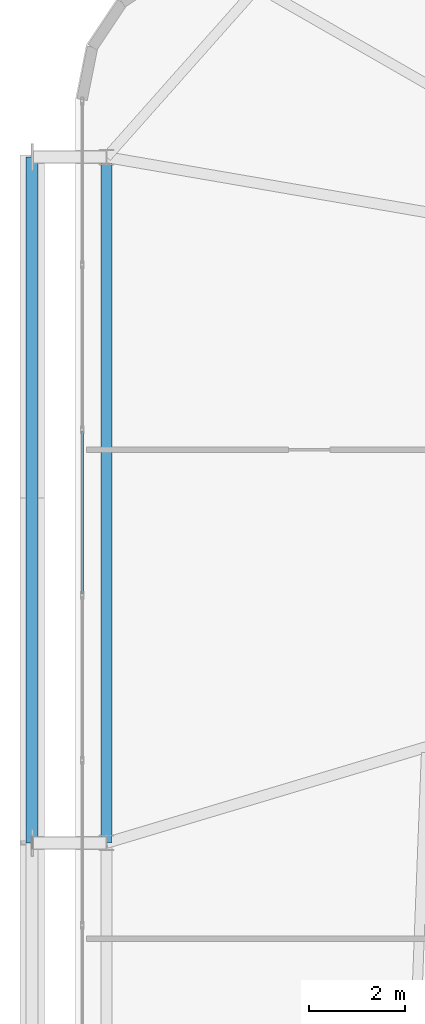
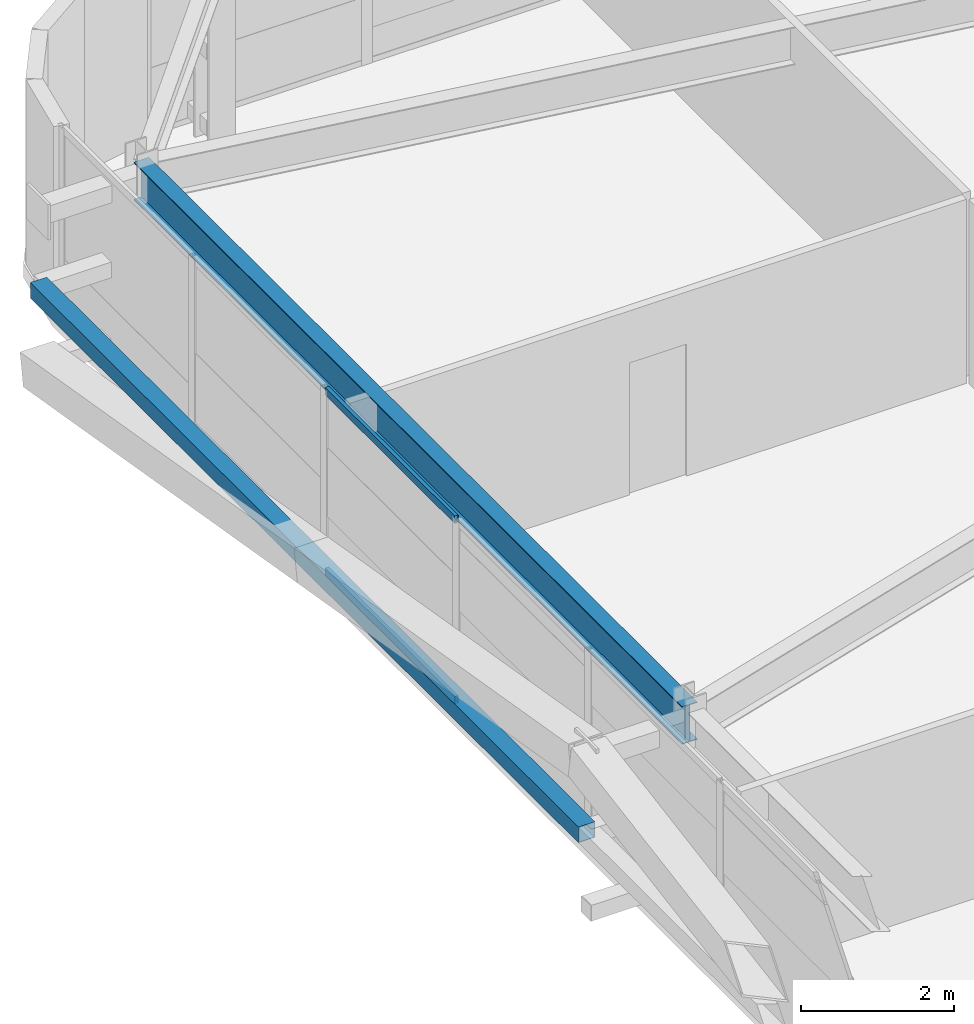
# One storey, part 17 of 58: 3 members, 1 beam, 1 element without a shape of its own.
"""IFC4 building model written with IfcOpenShell, lengths in metres."""

from ifc_helpers import new_model, si_unit, direction, frame, origin, origin_2d, place, context, subcontext, project, spatial, hollow_rectangle, i_section, extrude, source, transform, mapped, material, layer, layer_set, material_profile, profile_set, type_object, element, aggregate, save


model = new_model("IFC4")

# Units and contexts
model_context = context("Model", 3, precision=1e-05, world=origin(), true_north=direction((0.0, 1.0)))
body_context = subcontext(model_context, "Body", "Model", "MODEL_VIEW")
ifc_project = project(units=[si_unit("LENGTHUNIT", "METRE"), si_unit("AREAUNIT", "SQUARE_METRE"), si_unit("VOLUMEUNIT", "CUBIC_METRE"), si_unit("PLANEANGLEUNIT", "RADIAN"), si_unit("MASSUNIT", "GRAM", prefix="KILO")], contexts=[model_context])

# Site, building, storey
site_placement = place(None, origin())
site = spatial("IfcSite", under=ifc_project, at=site_placement, CompositionType="ELEMENT")
building_placement = place(site_placement, origin())
building = spatial("IfcBuilding", under=site, at=building_placement, Name="Taldren Reach Tower", CompositionType="ELEMENT")
storey_placement = place(building_placement, frame((0.0, 0.0, 54.60009765625)))
storey = spatial("IfcBuildingStorey", under=building, at=storey_placement, Name="L16", CompositionType="ELEMENT", Elevation=54.60009765625)

# Beam
ifc_material_1 = material(Name="Steel Gr 350 (350PLUS)", Category="steel")
ifc_material_profile_1 = material_profile(ifc_material_1, i_section(OverallWidth=0.22802734375, OverallDepth=0.60205078125, WebThickness=0.010498046875, FlangeThickness=0.014892578125, at=origin_2d()), Name="610UB101")
ifc_profile_set_1 = profile_set([ifc_material_profile_1], Name="Steel Gr 350 (350PLUS)")
beam_type = type_object("IfcBeamType", Name="BM-UB610B", PredefinedType="BEAM", material=ifc_profile_set_1)
shared_shape_1 = source(origin(), body_context, "Body", "SweptSolid", [
    extrude(i_section(OverallWidth=0.22802734375, OverallDepth=0.60205078125, WebThickness=0.010498046875, FlangeThickness=0.014892578125, at=origin_2d()), origin(), (0.0, 0.0, 1.0), 14.300048828125),
])
beam_placement = place(storey_placement, frame((5.64990234375, 34.300048828125, 2.62890625), z_axis=(0.0, -1.0, 0.0), x_axis=(1.0, 0.0, 0.0)))
element("IfcBeam", 1, at=beam_placement, inside=storey, type_object=beam_type, Name="Perimeter gable girder B1 W3-W2 L16", PredefinedType="BEAM", context=body_context, shape_type="MappedRepresentation", body=[
    mapped(shared_shape_1, transform((0.0, 0.0, 0.0), scale=1.0)),
])

# Member
ifc_material_2 = material(Name="Steel Gr 350 (C350L0)", Category="steel")
ifc_material_profile_2 = material_profile(ifc_material_2, hollow_rectangle(XDim=0.25, YDim=0.25, WallThickness=0.010009765625, at=origin_2d()), Name="250x250x10.0SHS")
ifc_profile_set_2 = profile_set([ifc_material_profile_2], Name="Steel Gr 350 (C350L0)")
member_type_1 = type_object("IfcMemberType", Name="MB-POST250", PredefinedType="POST", material=ifc_profile_set_2)
shared_shape_2 = source(origin(), body_context, "Body", "SweptSolid", [
    extrude(hollow_rectangle(XDim=0.25, YDim=0.25, WallThickness=0.010009765625, at=origin_2d()), origin(), (0.0, 0.0, 1.0), 14.300048828125),
])
member_1_placement = place(storey_placement, frame((4.10009765625, 20.0, 1.434814453125), z_axis=(0.0, 1.0, 0.0), x_axis=(-1.0, 0.0, 0.0)))
element("IfcMember", 2, at=member_1_placement, inside=storey, type_object=member_type_1, Name="Exoskeleton mid-height ring chord B1-W2 L16", PredefinedType="POST", context=body_context, shape_type="MappedRepresentation", body=[
    mapped(shared_shape_2, transform((0.0, 0.0, 0.0), scale=1.0)),
])

# Curtain wall, members
ifc_material_3 = material(Name="Aluminium and Low-E Glass Unitised System", Category="aluminium")
ifc_layer = layer(ifc_material_3, 0.159912109375)
ifc_layer_set = layer_set([ifc_layer], Name="Aluminium and Low-E Glass Unitised System")
curtain_wall_type = type_object("IfcCurtainWallType", Name="CW-SYS-2", PredefinedType="NOTDEFINED", material=ifc_layer_set)
curtain_wall_placement = place(storey_placement, origin())
curtain_wall = element("IfcCurtainWall", 3, at=curtain_wall_placement, inside=storey, type_object=curtain_wall_type, Name="Unitised curtain wall CW-L16-W", PredefinedType="NOTDEFINED")
ifc_material_4 = material(Name="Anodised Aluminium 6063-T6", Category="aluminium")
ifc_material_profile_3 = material_profile(ifc_material_4, hollow_rectangle(XDim=0.054931640625, YDim=0.1201171875, WallThickness=0.0029296875, at=origin_2d()), Name="ALU-120x55x3RHS")
ifc_profile_set_3 = profile_set([ifc_material_profile_3], Name="Anodised Aluminium 6063-T6")
member_type_2 = type_object("IfcMemberType", Name="CW-TRN-135", PredefinedType="USERDEFINED", material=ifc_profile_set_3)
shared_shape_3 = source(origin(), body_context, "Body", "SweptSolid", [
    extrude(hollow_rectangle(XDim=0.054931640625, YDim=0.1201171875, WallThickness=0.0029296875, at=origin_2d()), origin(), (0.0, 0.0, 1.0), 3.37939453125),
])
member_2_placement = place(storey_placement, frame((5.139892578125, 28.57861328125, 0.02734375), z_axis=(0.0, -1.0, 0.0), x_axis=(1.0, 0.0, 0.0)))
member_2 = element("IfcMember", 4, at=member_2_placement, type_object=member_type_2, Name="CW-2 transom 3.1", ObjectType="TRANSOM", PredefinedType="USERDEFINED", context=body_context, shape_type="MappedRepresentation", body=[
    mapped(shared_shape_3, transform((0.0, 0.0, 0.0), scale=1.0)),
])
member_3_placement = place(storey_placement, frame((5.139892578125, 28.57861328125, 2.90234375), z_axis=(0.0, -1.0, 0.0), x_axis=(1.0, 0.0, 0.0)))
member_3 = element("IfcMember", 5, at=member_3_placement, type_object=member_type_2, Name="CW-2 transom 3.2", ObjectType="TRANSOM", PredefinedType="USERDEFINED", context=body_context, shape_type="MappedRepresentation", body=[
    mapped(shared_shape_3, transform((0.0, 0.0, 0.0), scale=1.0)),
])
aggregate(curtain_wall, [member_2, member_3])

save(model, "model.ifc")
